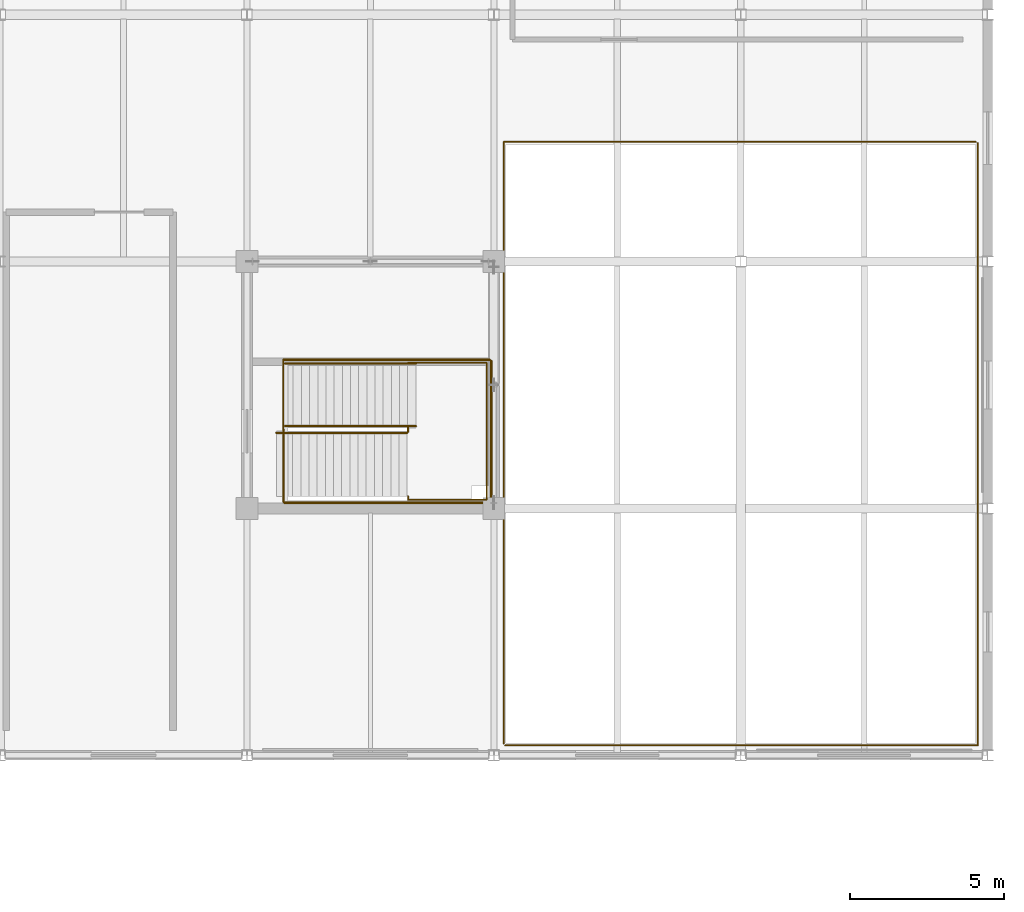
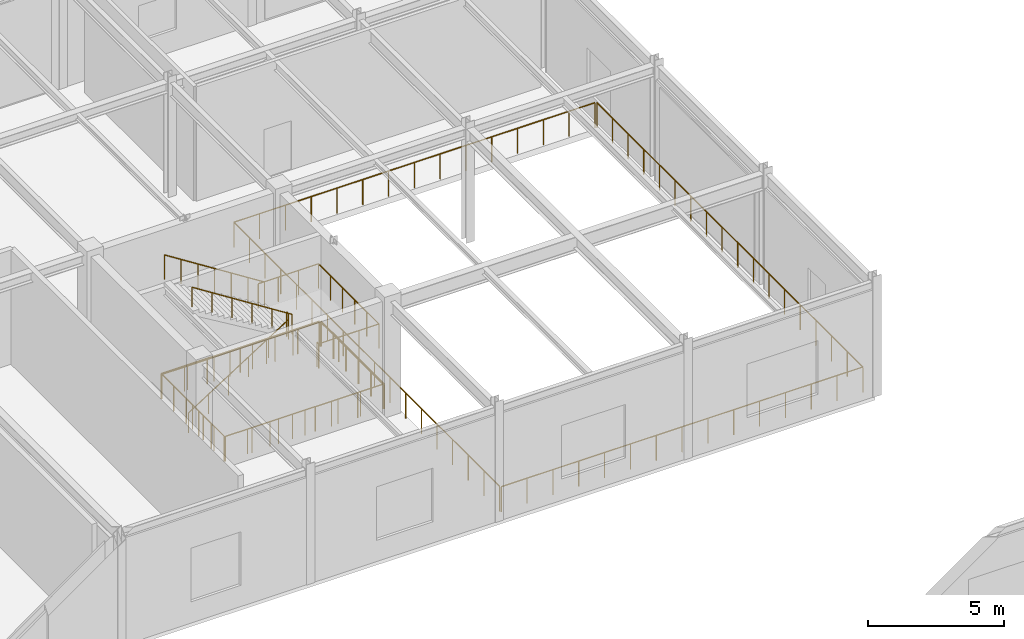
# One storey, part 184 of 184: 10 railings.
"""IFC4 building model written with IfcOpenShell, lengths in metres."""

from ifc_helpers import new_model, si_unit, direction, frame, origin, origin_2d, place, context, subcontext, project, spatial, circle, extrude, material, type_object, element, save


model = new_model("IFC4")

# Units and contexts
model_context = context("Model", 3, precision=1e-05, world=origin(), true_north=direction((0.0, 1.0)))
body_context = subcontext(model_context, "Body", "Model", "MODEL_VIEW")
ifc_project = project(units=[si_unit("LENGTHUNIT", "METRE"), si_unit("AREAUNIT", "SQUARE_METRE"), si_unit("VOLUMEUNIT", "CUBIC_METRE"), si_unit("PLANEANGLEUNIT", "RADIAN"), si_unit("MASSUNIT", "GRAM", prefix="KILO")], contexts=[model_context])

# Site, building, storey
site_placement = place(None, origin())
site = spatial("IfcSite", under=ifc_project, at=site_placement, CompositionType="ELEMENT")
building_placement = place(site_placement, origin())
building = spatial("IfcBuilding", under=site, at=building_placement, Name="Zhaolan Boulevard Law Courts", CompositionType="ELEMENT")
storey_placement = place(building_placement, frame((0.0, 0.0, 5.39990234375)))
storey = spatial("IfcBuildingStorey", under=building, at=storey_placement, Name="L01", CompositionType="ELEMENT", Elevation=5.39990234375)

# Railings
ifc_material_1 = material(Name="Powder-coated steel and tempered laminated glass", Category="steel")
railing_type_1 = type_object("IfcRailingType", Name="INTERIOR GUARDRAIL 1150", PredefinedType="GUARDRAIL", material=ifc_material_1)
railing_1_placement = place(storey_placement, frame((141.2099609375, 70.169921875, 0.0)))
element("IfcRailing", 1, at=railing_1_placement, inside=storey, type_object=railing_type_1, Name="Atrium Gallery Guardrail VG-1-V2-3A", PredefinedType="GUARDRAIL", context=body_context, shape_type="SweptSolid", body=[
    extrude(circle(Radius=0.02490234375, at=origin_2d()), frame((0.0, 0.0, 1.125), z_axis=(1.0, 0.0, 0.0), x_axis=(0.0, 1.0, 0.0)), (0.0, 0.0, 1.0), 6.719970703125),
    extrude(circle(Radius=0.02490234375, at=origin_2d()), frame((6.719970703125, 0.0, 1.125), z_axis=(0.0, 1.0, 0.0), x_axis=(-1.0, 0.0, 0.0)), (0.0, 0.0, 1.0), 4.6201171875),
    extrude(circle(Radius=0.02099609375, at=origin_2d()), origin(), (0.0, 0.0, 1.0), 1.099853515625),
    extrude(circle(Radius=0.02099609375, at=origin_2d()), frame((1.1201171875, 0.0, 0.0)), (0.0, 0.0, 1.0), 1.099853515625),
    extrude(circle(Radius=0.02099609375, at=origin_2d()), frame((2.239990234375, 0.0, 0.0)), (0.0, 0.0, 1.0), 1.099853515625),
    extrude(circle(Radius=0.02099609375, at=origin_2d()), frame((3.35986328125, 0.0, 0.0)), (0.0, 0.0, 1.0), 1.099853515625),
    extrude(circle(Radius=0.02099609375, at=origin_2d()), frame((4.47998046875, 0.0, 0.0)), (0.0, 0.0, 1.0), 1.099853515625),
    extrude(circle(Radius=0.02099609375, at=origin_2d()), frame((5.60009765625, 0.0, 0.0)), (0.0, 0.0, 1.0), 1.099853515625),
    extrude(circle(Radius=0.02099609375, at=origin_2d()), frame((6.719970703125, 0.0, 0.0)), (0.0, 0.0, 1.0), 1.099853515625),
    extrude(circle(Radius=0.02099609375, at=origin_2d()), frame((6.719970703125, 0.924072265625, 0.0)), (0.0, 0.0, 1.0), 1.099853515625),
    extrude(circle(Radius=0.02099609375, at=origin_2d()), frame((6.719970703125, 1.84814453125, 0.0)), (0.0, 0.0, 1.0), 1.099853515625),
    extrude(circle(Radius=0.02099609375, at=origin_2d()), frame((6.719970703125, 2.77197265625, 0.0)), (0.0, 0.0, 1.0), 1.099853515625),
    extrude(circle(Radius=0.02099609375, at=origin_2d()), frame((6.719970703125, 3.696044921875, 0.0)), (0.0, 0.0, 1.0), 1.099853515625),
    extrude(circle(Radius=0.02099609375, at=origin_2d()), frame((6.719970703125, 4.6201171875, 0.0)), (0.0, 0.0, 1.0), 1.099853515625),
])
railing_2_placement = place(storey_placement, frame((147.8701171875, 74.830078125, 0.0)))
element("IfcRailing", 2, at=railing_2_placement, inside=storey, type_object=railing_type_1, Name="Atrium Gallery Guardrail VG-1-V2-3B", PredefinedType="GUARDRAIL", context=body_context, shape_type="SweptSolid", body=[
    extrude(circle(Radius=0.02490234375, at=origin_2d()), frame((0.0, 0.0, 1.125), z_axis=(-1.0, 0.0, 0.0), x_axis=(0.0, -1.0, 0.0)), (0.0, 0.0, 1.0), 6.7001953125),
    extrude(circle(Radius=0.02490234375, at=origin_2d()), frame((-6.7001953125, 0.0, 1.125), z_axis=(0.0, -1.0, 0.0), x_axis=(1.0, 0.0, 0.0)), (0.0, 0.0, 1.0), 4.60009765625),
    extrude(circle(Radius=0.02099609375, at=origin_2d()), origin(), (0.0, 0.0, 1.0), 1.099853515625),
    extrude(circle(Radius=0.02099609375, at=origin_2d()), frame((-1.11669921875, 0.0, 0.0)), (0.0, 0.0, 1.0), 1.099853515625),
    extrude(circle(Radius=0.02099609375, at=origin_2d()), frame((-2.2333984375, 0.0, 0.0)), (0.0, 0.0, 1.0), 1.099853515625),
    extrude(circle(Radius=0.02099609375, at=origin_2d()), frame((-3.35009765625, 0.0, 0.0)), (0.0, 0.0, 1.0), 1.099853515625),
    extrude(circle(Radius=0.02099609375, at=origin_2d()), frame((-4.466796875, 0.0, 0.0)), (0.0, 0.0, 1.0), 1.099853515625),
    extrude(circle(Radius=0.02099609375, at=origin_2d()), frame((-5.58349609375, 0.0, 0.0)), (0.0, 0.0, 1.0), 1.099853515625),
    extrude(circle(Radius=0.02099609375, at=origin_2d()), frame((-6.7001953125, 0.0, 0.0)), (0.0, 0.0, 1.0), 1.099853515625),
    extrude(circle(Radius=0.02099609375, at=origin_2d()), frame((-6.7001953125, -0.919921875, 0.0)), (0.0, 0.0, 1.0), 1.099853515625),
    extrude(circle(Radius=0.02099609375, at=origin_2d()), frame((-6.7001953125, -1.840087890625, 0.0)), (0.0, 0.0, 1.0), 1.099853515625),
    extrude(circle(Radius=0.02099609375, at=origin_2d()), frame((-6.7001953125, -2.760009765625, 0.0)), (0.0, 0.0, 1.0), 1.099853515625),
    extrude(circle(Radius=0.02099609375, at=origin_2d()), frame((-6.7001953125, -3.68017578125, 0.0)), (0.0, 0.0, 1.0), 1.099853515625),
    extrude(circle(Radius=0.02099609375, at=origin_2d()), frame((-6.7001953125, -4.60009765625, 0.0)), (0.0, 0.0, 1.0), 1.099853515625),
])
railing_3_placement = place(storey_placement, frame((148.360107421875, 62.320068359375, 0.0)))
element("IfcRailing", 3, at=railing_3_placement, inside=storey, type_object=railing_type_1, Name="Atrium Gallery Guardrail VG-1-V2-7A", PredefinedType="GUARDRAIL", context=body_context, shape_type="SweptSolid", body=[
    extrude(circle(Radius=0.02490234375, at=origin_2d()), frame((0.0, 0.0, 1.125), z_axis=(1.0, 0.0, 0.0), x_axis=(0.0, 1.0, 0.0)), (0.0, 0.0, 1.0), 15.31982421875),
    extrude(circle(Radius=0.02490234375, at=origin_2d()), frame((15.31982421875, 0.0, 1.125), z_axis=(0.0, 1.0, 0.0), x_axis=(-1.0, 0.0, 0.0)), (0.0, 0.0, 1.0), 19.52001953125),
    extrude(circle(Radius=0.02099609375, at=origin_2d()), origin(), (0.0, 0.0, 1.0), 1.099853515625),
    extrude(circle(Radius=0.02099609375, at=origin_2d()), frame((1.09423828125, 0.0, 0.0)), (0.0, 0.0, 1.0), 1.099853515625),
    extrude(circle(Radius=0.02099609375, at=origin_2d()), frame((2.1884765625, 0.0, 0.0)), (0.0, 0.0, 1.0), 1.099853515625),
    extrude(circle(Radius=0.02099609375, at=origin_2d()), frame((3.28271484375, 0.0, 0.0)), (0.0, 0.0, 1.0), 1.099853515625),
    extrude(circle(Radius=0.02099609375, at=origin_2d()), frame((4.377197265625, 0.0, 0.0)), (0.0, 0.0, 1.0), 1.099853515625),
    extrude(circle(Radius=0.02099609375, at=origin_2d()), frame((5.471435546875, 0.0, 0.0)), (0.0, 0.0, 1.0), 1.099853515625),
    extrude(circle(Radius=0.02099609375, at=origin_2d()), frame((6.565673828125, 0.0, 0.0)), (0.0, 0.0, 1.0), 1.099853515625),
    extrude(circle(Radius=0.02099609375, at=origin_2d()), frame((7.659912109375, 0.0, 0.0)), (0.0, 0.0, 1.0), 1.099853515625),
    extrude(circle(Radius=0.02099609375, at=origin_2d()), frame((8.754150390625, 0.0, 0.0)), (0.0, 0.0, 1.0), 1.099853515625),
    extrude(circle(Radius=0.02099609375, at=origin_2d()), frame((9.848388671875, 0.0, 0.0)), (0.0, 0.0, 1.0), 1.099853515625),
    extrude(circle(Radius=0.02099609375, at=origin_2d()), frame((10.942626953125, 0.0, 0.0)), (0.0, 0.0, 1.0), 1.099853515625),
    extrude(circle(Radius=0.02099609375, at=origin_2d()), frame((12.037109375, 0.0, 0.0)), (0.0, 0.0, 1.0), 1.099853515625),
    extrude(circle(Radius=0.02099609375, at=origin_2d()), frame((13.13134765625, 0.0, 0.0)), (0.0, 0.0, 1.0), 1.099853515625),
    extrude(circle(Radius=0.02099609375, at=origin_2d()), frame((14.2255859375, 0.0, 0.0)), (0.0, 0.0, 1.0), 1.099853515625),
    extrude(circle(Radius=0.02099609375, at=origin_2d()), frame((15.31982421875, 0.0, 0.0)), (0.0, 0.0, 1.0), 1.099853515625),
    extrude(circle(Radius=0.02099609375, at=origin_2d()), frame((15.31982421875, 1.148193359375, 0.0)), (0.0, 0.0, 1.0), 1.099853515625),
    extrude(circle(Radius=0.02099609375, at=origin_2d()), frame((15.31982421875, 2.29638671875, 0.0)), (0.0, 0.0, 1.0), 1.099853515625),
    extrude(circle(Radius=0.02099609375, at=origin_2d()), frame((15.31982421875, 3.44482421875, 0.0)), (0.0, 0.0, 1.0), 1.099853515625),
    extrude(circle(Radius=0.02099609375, at=origin_2d()), frame((15.31982421875, 4.593017578125, 0.0)), (0.0, 0.0, 1.0), 1.099853515625),
    extrude(circle(Radius=0.02099609375, at=origin_2d()), frame((15.31982421875, 5.7412109375, 0.0)), (0.0, 0.0, 1.0), 1.099853515625),
    extrude(circle(Radius=0.02099609375, at=origin_2d()), frame((15.31982421875, 6.889404296875, 0.0)), (0.0, 0.0, 1.0), 1.099853515625),
    extrude(circle(Radius=0.02099609375, at=origin_2d()), frame((15.31982421875, 8.03759765625, 0.0)), (0.0, 0.0, 1.0), 1.099853515625),
    extrude(circle(Radius=0.02099609375, at=origin_2d()), frame((15.31982421875, 9.185791015625, 0.0)), (0.0, 0.0, 1.0), 1.099853515625),
    extrude(circle(Radius=0.02099609375, at=origin_2d()), frame((15.31982421875, 10.334228515625, 0.0)), (0.0, 0.0, 1.0), 1.099853515625),
    extrude(circle(Radius=0.02099609375, at=origin_2d()), frame((15.31982421875, 11.482421875, 0.0)), (0.0, 0.0, 1.0), 1.099853515625),
    extrude(circle(Radius=0.02099609375, at=origin_2d()), frame((15.31982421875, 12.630615234375, 0.0)), (0.0, 0.0, 1.0), 1.099853515625),
    extrude(circle(Radius=0.02099609375, at=origin_2d()), frame((15.31982421875, 13.77880859375, 0.0)), (0.0, 0.0, 1.0), 1.099853515625),
    extrude(circle(Radius=0.02099609375, at=origin_2d()), frame((15.31982421875, 14.927001953125, 0.0)), (0.0, 0.0, 1.0), 1.099853515625),
    extrude(circle(Radius=0.02099609375, at=origin_2d()), frame((15.31982421875, 16.0751953125, 0.0)), (0.0, 0.0, 1.0), 1.099853515625),
    extrude(circle(Radius=0.02099609375, at=origin_2d()), frame((15.31982421875, 17.2236328125, 0.0)), (0.0, 0.0, 1.0), 1.099853515625),
    extrude(circle(Radius=0.02099609375, at=origin_2d()), frame((15.31982421875, 18.371826171875, 0.0)), (0.0, 0.0, 1.0), 1.099853515625),
    extrude(circle(Radius=0.02099609375, at=origin_2d()), frame((15.31982421875, 19.52001953125, 0.0)), (0.0, 0.0, 1.0), 1.099853515625),
])
railing_4_placement = place(storey_placement, frame((163.6201171875, 81.8798828125, 0.0)))
element("IfcRailing", 4, at=railing_4_placement, inside=storey, type_object=railing_type_1, Name="Atrium Gallery Guardrail VG-1-V2-7B", PredefinedType="GUARDRAIL", context=body_context, shape_type="SweptSolid", body=[
    extrude(circle(Radius=0.02490234375, at=origin_2d()), frame((0.0, 0.0, 1.125), z_axis=(-1.0, 0.0, 0.0), x_axis=(0.0, -1.0, 0.0)), (0.0, 0.0, 1.0), 15.300048828125),
    extrude(circle(Radius=0.02490234375, at=origin_2d()), frame((-15.300048828125, 0.0, 1.125), z_axis=(0.0, -1.0, 0.0), x_axis=(1.0, 0.0, 0.0)), (0.0, 0.0, 1.0), 19.5),
    extrude(circle(Radius=0.02099609375, at=origin_2d()), origin(), (0.0, 0.0, 1.0), 1.099853515625),
    extrude(circle(Radius=0.02099609375, at=origin_2d()), frame((-1.0927734375, 0.0, 0.0)), (0.0, 0.0, 1.0), 1.099853515625),
    extrude(circle(Radius=0.02099609375, at=origin_2d()), frame((-2.185791015625, 0.0, 0.0)), (0.0, 0.0, 1.0), 1.099853515625),
    extrude(circle(Radius=0.02099609375, at=origin_2d()), frame((-3.278564453125, 0.0, 0.0)), (0.0, 0.0, 1.0), 1.099853515625),
    extrude(circle(Radius=0.02099609375, at=origin_2d()), frame((-4.371337890625, 0.0, 0.0)), (0.0, 0.0, 1.0), 1.099853515625),
    extrude(circle(Radius=0.02099609375, at=origin_2d()), frame((-5.46435546875, 0.0, 0.0)), (0.0, 0.0, 1.0), 1.099853515625),
    extrude(circle(Radius=0.02099609375, at=origin_2d()), frame((-6.55712890625, 0.0, 0.0)), (0.0, 0.0, 1.0), 1.099853515625),
    extrude(circle(Radius=0.02099609375, at=origin_2d()), frame((-7.64990234375, 0.0, 0.0)), (0.0, 0.0, 1.0), 1.099853515625),
    extrude(circle(Radius=0.02099609375, at=origin_2d()), frame((-8.742919921875, 0.0, 0.0)), (0.0, 0.0, 1.0), 1.099853515625),
    extrude(circle(Radius=0.02099609375, at=origin_2d()), frame((-9.835693359375, 0.0, 0.0)), (0.0, 0.0, 1.0), 1.099853515625),
    extrude(circle(Radius=0.02099609375, at=origin_2d()), frame((-10.9287109375, 0.0, 0.0)), (0.0, 0.0, 1.0), 1.099853515625),
    extrude(circle(Radius=0.02099609375, at=origin_2d()), frame((-12.021484375, 0.0, 0.0)), (0.0, 0.0, 1.0), 1.099853515625),
    extrude(circle(Radius=0.02099609375, at=origin_2d()), frame((-13.1142578125, 0.0, 0.0)), (0.0, 0.0, 1.0), 1.099853515625),
    extrude(circle(Radius=0.02099609375, at=origin_2d()), frame((-14.207275390625, 0.0, 0.0)), (0.0, 0.0, 1.0), 1.099853515625),
    extrude(circle(Radius=0.02099609375, at=origin_2d()), frame((-15.300048828125, 0.0, 0.0)), (0.0, 0.0, 1.0), 1.099853515625),
    extrude(circle(Radius=0.02099609375, at=origin_2d()), frame((-15.300048828125, -1.14697265625, 0.0)), (0.0, 0.0, 1.0), 1.099853515625),
    extrude(circle(Radius=0.02099609375, at=origin_2d()), frame((-15.300048828125, -2.294189453125, 0.0)), (0.0, 0.0, 1.0), 1.099853515625),
    extrude(circle(Radius=0.02099609375, at=origin_2d()), frame((-15.300048828125, -3.441162109375, 0.0)), (0.0, 0.0, 1.0), 1.099853515625),
    extrude(circle(Radius=0.02099609375, at=origin_2d()), frame((-15.300048828125, -4.588134765625, 0.0)), (0.0, 0.0, 1.0), 1.099853515625),
    extrude(circle(Radius=0.02099609375, at=origin_2d()), frame((-15.300048828125, -5.7353515625, 0.0)), (0.0, 0.0, 1.0), 1.099853515625),
    extrude(circle(Radius=0.02099609375, at=origin_2d()), frame((-15.300048828125, -6.88232421875, 0.0)), (0.0, 0.0, 1.0), 1.099853515625),
    extrude(circle(Radius=0.02099609375, at=origin_2d()), frame((-15.300048828125, -8.029296875, 0.0)), (0.0, 0.0, 1.0), 1.099853515625),
    extrude(circle(Radius=0.02099609375, at=origin_2d()), frame((-15.300048828125, -9.176513671875, 0.0)), (0.0, 0.0, 1.0), 1.099853515625),
    extrude(circle(Radius=0.02099609375, at=origin_2d()), frame((-15.300048828125, -10.323486328125, 0.0)), (0.0, 0.0, 1.0), 1.099853515625),
    extrude(circle(Radius=0.02099609375, at=origin_2d()), frame((-15.300048828125, -11.470703125, 0.0)), (0.0, 0.0, 1.0), 1.099853515625),
    extrude(circle(Radius=0.02099609375, at=origin_2d()), frame((-15.300048828125, -12.61767578125, 0.0)), (0.0, 0.0, 1.0), 1.099853515625),
    extrude(circle(Radius=0.02099609375, at=origin_2d()), frame((-15.300048828125, -13.7646484375, 0.0)), (0.0, 0.0, 1.0), 1.099853515625),
    extrude(circle(Radius=0.02099609375, at=origin_2d()), frame((-15.300048828125, -14.911865234375, 0.0)), (0.0, 0.0, 1.0), 1.099853515625),
    extrude(circle(Radius=0.02099609375, at=origin_2d()), frame((-15.300048828125, -16.058837890625, 0.0)), (0.0, 0.0, 1.0), 1.099853515625),
    extrude(circle(Radius=0.02099609375, at=origin_2d()), frame((-15.300048828125, -17.205810546875, 0.0)), (0.0, 0.0, 1.0), 1.099853515625),
    extrude(circle(Radius=0.02099609375, at=origin_2d()), frame((-15.300048828125, -18.35302734375, 0.0)), (0.0, 0.0, 1.0), 1.099853515625),
    extrude(circle(Radius=0.02099609375, at=origin_2d()), frame((-15.300048828125, -19.5, 0.0)), (0.0, 0.0, 1.0), 1.099853515625),
])
ifc_material_2 = material(Name="Brushed stainless steel tubular handrail", Category="steel")
railing_type_2 = type_object("IfcRailingType", Name="STAIR HANDRAIL 900", PredefinedType="HANDRAIL", material=ifc_material_2)
railing_5_placement = place(storey_placement, frame((140.949951171875, 72.449951171875, 0.0)))
element("IfcRailing", 5, at=railing_5_placement, inside=storey, type_object=railing_type_2, Name="Stair Handrail HR-ST09-L01-1", PredefinedType="HANDRAIL", context=body_context, shape_type="SweptSolid", body=[
    extrude(circle(Radius=0.0224609375, at=origin_2d()), frame((0.0, 0.0, 0.87744140625), z_axis=(0.843479452326, 0.0, 0.53716144082), x_axis=(0.0, 1.0, 0.0)), (0.0, 0.0, 1.0), 5.02685546875),
    extrude(circle(Radius=0.01904296875, at=origin_2d()), origin(), (0.0, 0.0, 1.0), 0.85498046875),
    extrude(circle(Radius=0.01904296875, at=origin_2d()), frame((0.847900390625, 0.0, 0.5400390625)), (0.0, 0.0, 1.0), 0.85498046875),
    extrude(circle(Radius=0.01904296875, at=origin_2d()), frame((1.696044921875, 0.0, 1.080078125)), (0.0, 0.0, 1.0), 0.85498046875),
    extrude(circle(Radius=0.01904296875, at=origin_2d()), frame((2.5439453125, 0.0, 1.6201171875)), (0.0, 0.0, 1.0), 0.85498046875),
    extrude(circle(Radius=0.01904296875, at=origin_2d()), frame((3.39208984375, 0.0, 2.16015625)), (0.0, 0.0, 1.0), 0.85498046875),
    extrude(circle(Radius=0.01904296875, at=origin_2d()), frame((4.239990234375, 0.0, 2.7001953125)), (0.0, 0.0, 1.0), 0.85498046875),
])
railing_6_placement = place(storey_placement, frame((145.47509765625, 72.669921875, 2.7001953125)))
element("IfcRailing", 6, at=railing_6_placement, inside=storey, type_object=railing_type_2, Name="Stair Handrail HR-ST09-L01-2", PredefinedType="HANDRAIL", context=body_context, shape_type="SweptSolid", body=[
    extrude(circle(Radius=0.0224609375, at=origin_2d()), frame((0.0, 0.0, 0.87744140625), z_axis=(-0.843501457581, 0.0, 0.537126885437), x_axis=(0.0, -1.0, 0.0)), (0.0, 0.0, 1.0), 5.026611328125),
    extrude(circle(Radius=0.01904296875, at=origin_2d()), origin(), (0.0, 0.0, 1.0), 0.85498046875),
    extrude(circle(Radius=0.01904296875, at=origin_2d()), frame((-0.847900390625, 0.0, 0.5400390625)), (0.0, 0.0, 1.0), 0.85498046875),
    extrude(circle(Radius=0.01904296875, at=origin_2d()), frame((-1.696044921875, 0.0, 1.080078125)), (0.0, 0.0, 1.0), 0.85498046875),
    extrude(circle(Radius=0.01904296875, at=origin_2d()), frame((-2.5439453125, 0.0, 1.619873046875)), (0.0, 0.0, 1.0), 0.85498046875),
    extrude(circle(Radius=0.01904296875, at=origin_2d()), frame((-3.39208984375, 0.0, 2.159912109375)), (0.0, 0.0, 1.0), 0.85498046875),
    extrude(circle(Radius=0.01904296875, at=origin_2d()), frame((-4.239990234375, 0.0, 2.699951171875)), (0.0, 0.0, 1.0), 0.85498046875),
])
ifc_material_3 = material(Name="Powder-coated steel baluster guardrail", Category="steel")
railing_type_3 = type_object("IfcRailingType", Name="STAIR WELL GUARDRAIL 1120", PredefinedType="GUARDRAIL", material=ifc_material_3)
railing_7_placement = place(storey_placement, frame((141.18994140625, 72.56005859375, 0.0)))
element("IfcRailing", 7, at=railing_7_placement, inside=storey, type_object=railing_type_3, Name="Stair-Well Floor Guardrail WG-ST09-L00", PredefinedType="GUARDRAIL", context=body_context, shape_type="SweptSolid", body=[
    extrude(circle(Radius=0.02392578125, at=origin_2d()), frame((0.0, 0.0, 1.09619140625), z_axis=(0.0, -1.0, 0.0), x_axis=(1.0, 0.0, 0.0)), (0.0, 0.0, 1.0), 2.360107421875),
    extrude(circle(Radius=0.02392578125, at=origin_2d()), frame((0.0, -2.360107421875, 1.09619140625), z_axis=(1.0, 0.0, 0.0), x_axis=(0.0, 1.0, 0.0)), (0.0, 0.0, 1.0), 6.7099609375),
    extrude(circle(Radius=0.02392578125, at=origin_2d()), frame((6.7099609375, -2.360107421875, 1.09619140625), z_axis=(0.0, 1.0, 0.0), x_axis=(-1.0, 0.0, 0.0)), (0.0, 0.0, 1.0), 4.60009765625),
    extrude(circle(Radius=0.02392578125, at=origin_2d()), frame((6.7099609375, 2.239990234375, 1.09619140625), z_axis=(-1.0, 0.0, 0.0), x_axis=(0.0, -1.0, 0.0)), (0.0, 0.0, 1.0), 6.7099609375),
    extrude(circle(Radius=0.02392578125, at=origin_2d()), frame((0.0, 2.239990234375, 1.09619140625), z_axis=(0.0, 1.0, 0.0), x_axis=(-1.0, 0.0, 0.0)), (0.0, 0.0, 1.0), 0.02001953125),
    extrude(circle(Radius=0.02099609375, at=origin_2d()), origin(), (0.0, 0.0, 1.0), 1.072021484375),
    extrude(circle(Radius=0.02099609375, at=origin_2d()), frame((0.0, -0.78662109375, 0.0)), (0.0, 0.0, 1.0), 1.072021484375),
    extrude(circle(Radius=0.02099609375, at=origin_2d()), frame((0.0, -1.573486328125, 0.0)), (0.0, 0.0, 1.0), 1.072021484375),
    extrude(circle(Radius=0.02099609375, at=origin_2d()), frame((0.0, -2.360107421875, 0.0)), (0.0, 0.0, 1.0), 1.072021484375),
    extrude(circle(Radius=0.02099609375, at=origin_2d()), frame((0.95849609375, -2.360107421875, 0.0)), (0.0, 0.0, 1.0), 1.072021484375),
    extrude(circle(Radius=0.02099609375, at=origin_2d()), frame((1.917236328125, -2.360107421875, 0.0)), (0.0, 0.0, 1.0), 1.072021484375),
    extrude(circle(Radius=0.02099609375, at=origin_2d()), frame((2.875732421875, -2.360107421875, 0.0)), (0.0, 0.0, 1.0), 1.072021484375),
    extrude(circle(Radius=0.02099609375, at=origin_2d()), frame((3.834228515625, -2.360107421875, 0.0)), (0.0, 0.0, 1.0), 1.072021484375),
    extrude(circle(Radius=0.02099609375, at=origin_2d()), frame((4.792724609375, -2.360107421875, 0.0)), (0.0, 0.0, 1.0), 1.072021484375),
    extrude(circle(Radius=0.02099609375, at=origin_2d()), frame((5.75146484375, -2.360107421875, 0.0)), (0.0, 0.0, 1.0), 1.072021484375),
    extrude(circle(Radius=0.02099609375, at=origin_2d()), frame((6.7099609375, -2.360107421875, 0.0)), (0.0, 0.0, 1.0), 1.072021484375),
    extrude(circle(Radius=0.02099609375, at=origin_2d()), frame((6.7099609375, -1.440185546875, 0.0)), (0.0, 0.0, 1.0), 1.072021484375),
    extrude(circle(Radius=0.02099609375, at=origin_2d()), frame((6.7099609375, -0.52001953125, 0.0)), (0.0, 0.0, 1.0), 1.072021484375),
    extrude(circle(Radius=0.02099609375, at=origin_2d()), frame((6.7099609375, 0.39990234375, 0.0)), (0.0, 0.0, 1.0), 1.072021484375),
    extrude(circle(Radius=0.02099609375, at=origin_2d()), frame((6.7099609375, 1.320068359375, 0.0)), (0.0, 0.0, 1.0), 1.072021484375),
    extrude(circle(Radius=0.02099609375, at=origin_2d()), frame((6.7099609375, 2.239990234375, 0.0)), (0.0, 0.0, 1.0), 1.072021484375),
    extrude(circle(Radius=0.02099609375, at=origin_2d()), frame((5.75146484375, 2.239990234375, 0.0)), (0.0, 0.0, 1.0), 1.072021484375),
    extrude(circle(Radius=0.02099609375, at=origin_2d()), frame((4.792724609375, 2.239990234375, 0.0)), (0.0, 0.0, 1.0), 1.072021484375),
    extrude(circle(Radius=0.02099609375, at=origin_2d()), frame((3.834228515625, 2.239990234375, 0.0)), (0.0, 0.0, 1.0), 1.072021484375),
    extrude(circle(Radius=0.02099609375, at=origin_2d()), frame((2.875732421875, 2.239990234375, 0.0)), (0.0, 0.0, 1.0), 1.072021484375),
    extrude(circle(Radius=0.02099609375, at=origin_2d()), frame((1.917236328125, 2.239990234375, 0.0)), (0.0, 0.0, 1.0), 1.072021484375),
    extrude(circle(Radius=0.02099609375, at=origin_2d()), frame((0.95849609375, 2.239990234375, 0.0)), (0.0, 0.0, 1.0), 1.072021484375),
    extrude(circle(Radius=0.02099609375, at=origin_2d()), frame((0.0, 2.239990234375, 0.0)), (0.0, 0.0, 1.0), 1.072021484375),
    extrude(circle(Radius=0.02099609375, at=origin_2d()), frame((0.0, 2.260009765625, 0.0)), (0.0, 0.0, 1.0), 1.072021484375),
])
railing_8_placement = place(storey_placement, frame((145.219970703125, 70.39990234375, 2.7001953125)))
element("IfcRailing", 8, at=railing_8_placement, inside=storey, type_object=railing_type_3, Name="Half-Landing Guardrail SG-ST09-L01-M", PredefinedType="GUARDRAIL", context=body_context, shape_type="SweptSolid", body=[
    extrude(circle(Radius=0.02392578125, at=origin_2d()), frame((0.0, 0.0, 1.09619140625), z_axis=(0.0, -1.0, 0.0), x_axis=(1.0, 0.0, 0.0)), (0.0, 0.0, 1.0), 0.119873046875),
    extrude(circle(Radius=0.02392578125, at=origin_2d()), frame((0.0, -0.119873046875, 1.09619140625), z_axis=(1.0, 0.0, 0.0), x_axis=(0.0, 1.0, 0.0)), (0.0, 0.0, 1.0), 2.550048828125),
    extrude(circle(Radius=0.02392578125, at=origin_2d()), frame((2.550048828125, -0.119873046875, 1.09619140625), z_axis=(0.0, 1.0, 0.0), x_axis=(-1.0, 0.0, 0.0)), (0.0, 0.0, 1.0), 4.43994140625),
    extrude(circle(Radius=0.02392578125, at=origin_2d()), frame((2.550048828125, 4.320068359375, 1.09619140625), z_axis=(-1.0, 0.0, 0.0), x_axis=(0.0, -1.0, 0.0)), (0.0, 0.0, 1.0), 2.550048828125),
    extrude(circle(Radius=0.02099609375, at=origin_2d()), origin(), (0.0, 0.0, 1.0), 1.072021484375),
    extrude(circle(Radius=0.02099609375, at=origin_2d()), frame((0.0, -0.119873046875, 0.0)), (0.0, 0.0, 1.0), 1.072021484375),
    extrude(circle(Radius=0.02099609375, at=origin_2d()), frame((0.85009765625, -0.119873046875, 0.0)), (0.0, 0.0, 1.0), 1.072021484375),
    extrude(circle(Radius=0.02099609375, at=origin_2d()), frame((1.699951171875, -0.119873046875, 0.0)), (0.0, 0.0, 1.0), 1.072021484375),
    extrude(circle(Radius=0.02099609375, at=origin_2d()), frame((2.550048828125, -0.119873046875, 0.0)), (0.0, 0.0, 1.0), 1.072021484375),
    extrude(circle(Radius=0.02099609375, at=origin_2d()), frame((2.550048828125, 0.76806640625, 0.0)), (0.0, 0.0, 1.0), 1.072021484375),
    extrude(circle(Radius=0.02099609375, at=origin_2d()), frame((2.550048828125, 1.656005859375, 0.0)), (0.0, 0.0, 1.0), 1.072021484375),
    extrude(circle(Radius=0.02099609375, at=origin_2d()), frame((2.550048828125, 2.544189453125, 0.0)), (0.0, 0.0, 1.0), 1.072021484375),
    extrude(circle(Radius=0.02099609375, at=origin_2d()), frame((2.550048828125, 3.43212890625, 0.0)), (0.0, 0.0, 1.0), 1.072021484375),
    extrude(circle(Radius=0.02099609375, at=origin_2d()), frame((2.550048828125, 4.320068359375, 0.0)), (0.0, 0.0, 1.0), 1.072021484375),
    extrude(circle(Radius=0.02099609375, at=origin_2d()), frame((1.699951171875, 4.320068359375, 0.0)), (0.0, 0.0, 1.0), 1.072021484375),
    extrude(circle(Radius=0.02099609375, at=origin_2d()), frame((0.85009765625, 4.320068359375, 0.0)), (0.0, 0.0, 1.0), 1.072021484375),
    extrude(circle(Radius=0.02099609375, at=origin_2d()), frame((0.0, 4.320068359375, 0.0)), (0.0, 0.0, 1.0), 1.072021484375),
])
railing_9_placement = place(storey_placement, frame((145.219970703125, 72.489990234375, 2.7001953125)))
element("IfcRailing", 9, at=railing_9_placement, inside=storey, type_object=railing_type_3, Name="Half-Landing Well Guardrail SG-ST09-L01-W", PredefinedType="GUARDRAIL", context=body_context, shape_type="SweptSolid", body=[
    extrude(circle(Radius=0.02392578125, at=origin_2d()), frame((0.0, 0.0, 1.09619140625), z_axis=(0.0, 1.0, 0.0), x_axis=(-1.0, 0.0, 0.0)), (0.0, 0.0, 1.0), 0.139892578125),
    extrude(circle(Radius=0.02099609375, at=origin_2d()), origin(), (0.0, 0.0, 1.0), 1.072021484375),
    extrude(circle(Radius=0.02099609375, at=origin_2d()), frame((0.0, 0.139892578125, 0.0)), (0.0, 0.0, 1.0), 1.072021484375),
])
railing_10_placement = place(storey_placement, frame((145.47509765625, 74.699951171875, 2.7001953125)))
element("IfcRailing", 10, at=railing_10_placement, inside=storey, type_object=railing_type_3, Name="Flight Guardrail SG-ST09-L01-F2", PredefinedType="GUARDRAIL", context=body_context, shape_type="SweptSolid", body=[
    extrude(circle(Radius=0.02392578125, at=origin_2d()), frame((0.0, 0.0, 1.09619140625), z_axis=(-0.843501457581, 0.0, 0.537126885437), x_axis=(0.0, -1.0, 0.0)), (0.0, 0.0, 1.0), 5.026611328125),
    extrude(circle(Radius=0.02099609375, at=origin_2d()), origin(), (0.0, 0.0, 1.0), 1.072021484375),
    extrude(circle(Radius=0.02099609375, at=origin_2d()), frame((-0.70654296875, 0.0, 0.449951171875)), (0.0, 0.0, 1.0), 1.072021484375),
    extrude(circle(Radius=0.02099609375, at=origin_2d()), frame((-1.413330078125, 0.0, 0.89990234375)), (0.0, 0.0, 1.0), 1.072021484375),
    extrude(circle(Radius=0.02099609375, at=origin_2d()), frame((-2.1201171875, 0.0, 1.35009765625)), (0.0, 0.0, 1.0), 1.072021484375),
    extrude(circle(Radius=0.02099609375, at=origin_2d()), frame((-2.82666015625, 0.0, 1.800048828125)), (0.0, 0.0, 1.0), 1.072021484375),
    extrude(circle(Radius=0.02099609375, at=origin_2d()), frame((-3.533203125, 0.0, 2.25)), (0.0, 0.0, 1.0), 1.072021484375),
    extrude(circle(Radius=0.02099609375, at=origin_2d()), frame((-4.239990234375, 0.0, 2.699951171875)), (0.0, 0.0, 1.0), 1.072021484375),
])

save(model, "model.ifc")
